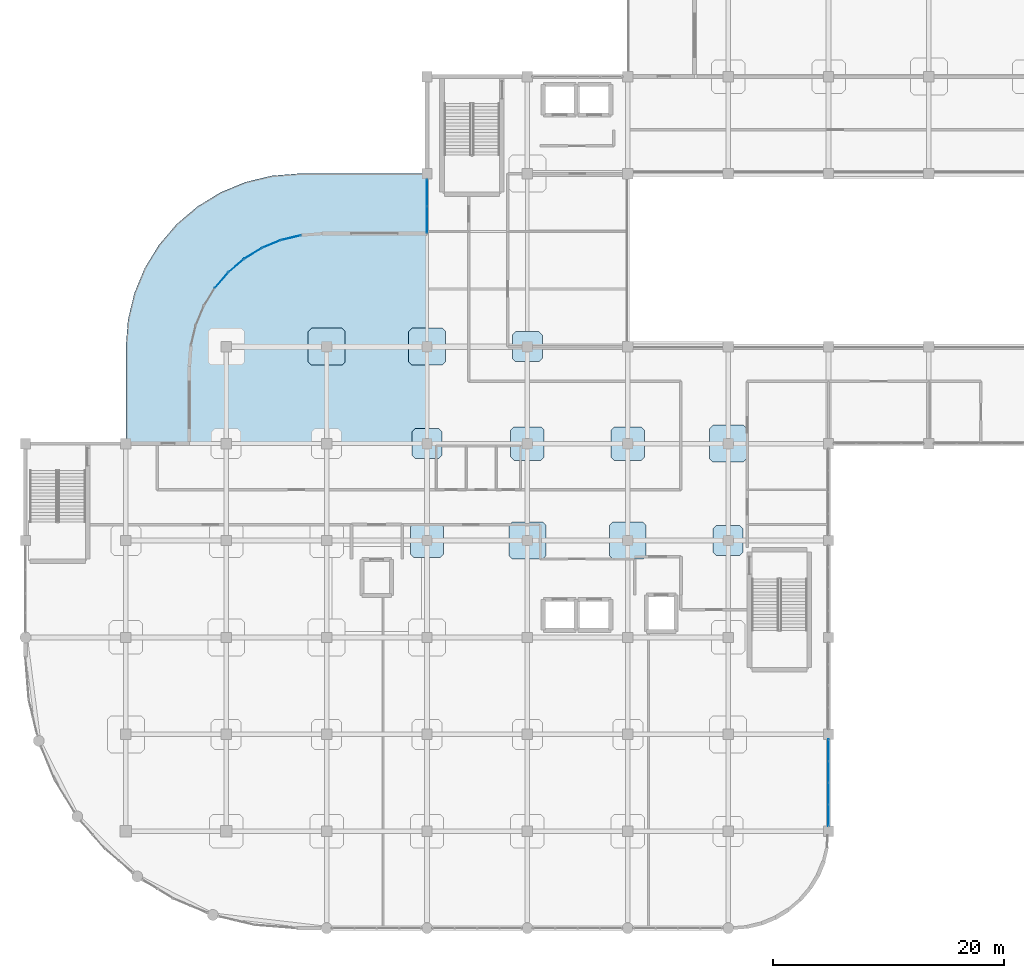
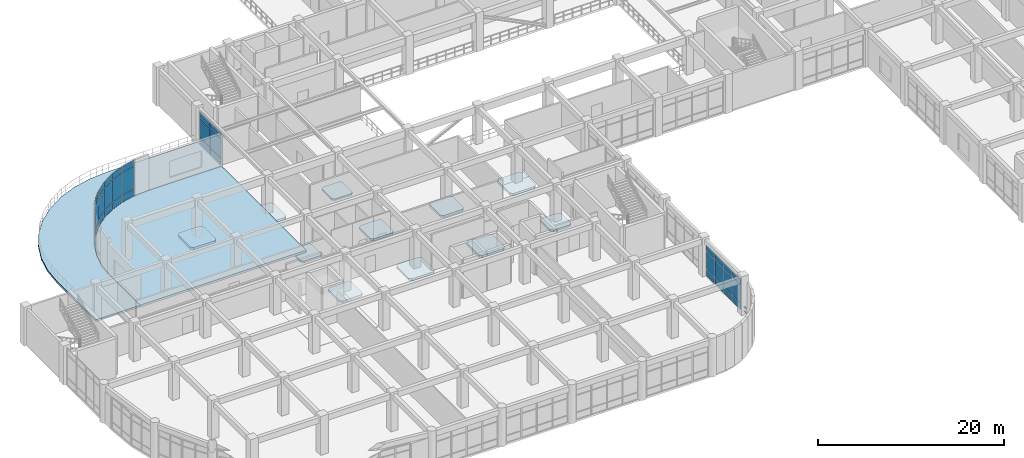
# One storey, part 88 of 120: 34 plates, 13 slabs, 7 elements without a shape of their own.
"""IFC4 building model written with IfcOpenShell, lengths in metres."""

from ifc_helpers import new_model, si_unit, derived_unit, direction, frame, origin, origin_2d, place, context, subcontext, project, spatial, polyline, rectangle, outline, extrude, material, layer, layer_set, type_object, element, aggregate, save


model = new_model("IFC4")

# Units and contexts
model_context = context("Model", 3, precision=1e-05, world=origin(), true_north=direction((0.0, 1.0)))
body_context = subcontext(model_context, "Body", "Model", "MODEL_VIEW")
ifc_project = project(units=[si_unit("LENGTHUNIT", "METRE"), si_unit("AREAUNIT", "SQUARE_METRE"), si_unit("VOLUMEUNIT", "CUBIC_METRE"), si_unit("PLANEANGLEUNIT", "RADIAN"), si_unit("MASSUNIT", "GRAM", prefix="KILO"), derived_unit("THERMALTRANSMITTANCEUNIT", [(si_unit("MASSUNIT", "GRAM", prefix="KILO"), 1), (si_unit("TIMEUNIT", "SECOND"), -3), (si_unit("THERMODYNAMICTEMPERATUREUNIT", "KELVIN"), -1)])], contexts=[model_context])

# Site, building, storey
site_placement = place(None, origin())
site = spatial("IfcSite", under=ifc_project, at=site_placement, CompositionType="ELEMENT")
building_placement = place(site_placement, origin())
building = spatial("IfcBuilding", under=site, at=building_placement, Name="Qinzheling Arcade Emporium", CompositionType="ELEMENT")
storey_placement = place(building_placement, frame((0.0, 0.0, 11.39990234375)))
storey = spatial("IfcBuildingStorey", under=building, at=storey_placement, Name="L03", CompositionType="ELEMENT", Elevation=11.39990234375)

# Slabs
ifc_material_1 = material(Name="Concrete C40", Category="concrete")
ifc_layer_1 = layer(ifc_material_1, 0.235107421875, Name="Concrete C40", Category="concrete")
ifc_layer_set_1 = layer_set([ifc_layer_1], Name="Concrete C40")
slab_type_1 = type_object("IfcSlabType", Name="Column Head Drop Panel 2600x2600x235 C40", PredefinedType="USERDEFINED", material=ifc_layer_set_1)
slab_1_placement = place(storey_placement, frame((0.0, 0.0, -0.514892578125)))
element("IfcSlab", 1, at=slab_1_placement, inside=storey, type_object=slab_type_1, Name="Column Drop Panel DP-L03-5-F", ObjectType="DROP_PANEL", PredefinedType="USERDEFINED", context=body_context, shape_type="SweptSolid", body=[
    extrude(outline(polyline([(33.780029296875, 40.699951171875), (35.820068359375, 40.699951171875), (36.10009765625, 40.97998046875), (36.10009765625, 43.02001953125), (35.820068359375, 43.300048828125), (33.780029296875, 43.300048828125), (33.5, 43.02001953125), (33.5, 40.97998046875), (33.780029296875, 40.699951171875)])), origin(), (0.0, 0.0, 1.0), 0.235107421875),
])
slab_2_placement = place(storey_placement, frame((0.0, 0.0, -0.514892578125)))
element("IfcSlab", 2, at=slab_2_placement, inside=storey, type_object=slab_type_1, Name="Column Drop Panel DP-L03-6-G", ObjectType="DROP_PANEL", PredefinedType="USERDEFINED", context=body_context, shape_type="SweptSolid", body=[
    extrude(outline(polyline([(42.47998046875, 49.10009765625), (44.52001953125, 49.10009765625), (44.800048828125, 49.3798828125), (44.800048828125, 51.419921875), (44.52001953125, 51.699951171875), (42.47998046875, 51.699951171875), (42.199951171875, 51.419921875), (42.199951171875, 49.3798828125), (42.47998046875, 49.10009765625)])), origin(), (0.0, 0.0, 1.0), 0.235107421875),
])
slab_3_placement = place(storey_placement, frame((0.0, 0.0, -0.514892578125)))
element("IfcSlab", 3, at=slab_3_placement, inside=storey, type_object=slab_type_1, Name="Column Drop Panel DP-L03-8-E", ObjectType="DROP_PANEL", PredefinedType="USERDEFINED", context=body_context, shape_type="SweptSolid", body=[
    extrude(outline(polyline([(59.8798828125, 32.300048828125), (61.919921875, 32.300048828125), (62.199951171875, 32.580078125), (62.199951171875, 34.6201171875), (61.919921875, 34.89990234375), (59.8798828125, 34.89990234375), (59.60009765625, 34.6201171875), (59.60009765625, 32.580078125), (59.8798828125, 32.300048828125)])), origin(), (0.0, 0.0, 1.0), 0.235107421875),
])
ifc_layer_2 = layer(ifc_material_1, 0.27001953125, Name="Concrete C40", Category="concrete")
ifc_layer_set_2 = layer_set([ifc_layer_2], Name="Concrete C40")
slab_type_2 = type_object("IfcSlabType", Name="Column Head Drop Panel 2900x2900x270 C40", PredefinedType="USERDEFINED", material=ifc_layer_set_2)
slab_4_placement = place(storey_placement, frame((0.0, 0.0, -0.5498046875)))
element("IfcSlab", 4, at=slab_4_placement, inside=storey, type_object=slab_type_2, Name="Column Drop Panel DP-L03-5-E", ObjectType="DROP_PANEL", PredefinedType="USERDEFINED", context=body_context, shape_type="SweptSolid", body=[
    extrude(outline(polyline([(33.6298828125, 32.14990234375), (35.969970703125, 32.14990234375), (36.25, 32.429931640625), (36.25, 34.77001953125), (35.969970703125, 35.050048828125), (33.6298828125, 35.050048828125), (33.35009765625, 34.77001953125), (33.35009765625, 32.429931640625), (33.6298828125, 32.14990234375)])), origin(), (0.0, 0.0, 1.0), 0.27001953125),
])
slab_5_placement = place(storey_placement, frame((0.0, 0.0, -0.5498046875)))
element("IfcSlab", 5, at=slab_5_placement, inside=storey, type_object=slab_type_2, Name="Column Drop Panel DP-L03-6-F", ObjectType="DROP_PANEL", PredefinedType="USERDEFINED", context=body_context, shape_type="SweptSolid", body=[
    extrude(outline(polyline([(42.330078125, 40.550048828125), (44.669921875, 40.550048828125), (44.949951171875, 40.830078125), (44.949951171875, 43.169921875), (44.669921875, 43.449951171875), (42.330078125, 43.449951171875), (42.050048828125, 43.169921875), (42.050048828125, 40.830078125), (42.330078125, 40.550048828125)])), origin(), (0.0, 0.0, 1.0), 0.27001953125),
])
slab_6_placement = place(storey_placement, frame((0.0, 0.0, -0.5498046875)))
element("IfcSlab", 6, at=slab_6_placement, inside=storey, type_object=slab_type_2, Name="Column Drop Panel DP-L03-7-F", ObjectType="DROP_PANEL", PredefinedType="USERDEFINED", context=body_context, shape_type="SweptSolid", body=[
    extrude(outline(polyline([(51.030029296875, 40.550048828125), (53.3701171875, 40.550048828125), (53.64990234375, 40.830078125), (53.64990234375, 43.169921875), (53.3701171875, 43.449951171875), (51.030029296875, 43.449951171875), (50.75, 43.169921875), (50.75, 40.830078125), (51.030029296875, 40.550048828125)])), origin(), (0.0, 0.0, 1.0), 0.27001953125),
])
ifc_layer_3 = layer(ifc_material_1, 0.300048828125, Name="Concrete C40", Category="concrete")
ifc_layer_set_3 = layer_set([ifc_layer_3], Name="Concrete C40")
slab_type_3 = type_object("IfcSlabType", Name="Column Head Drop Panel 3200x3200x300 C40", PredefinedType="USERDEFINED", material=ifc_layer_set_3)
slab_7_placement = place(storey_placement, frame((0.0, 0.0, -0.579833984375)))
element("IfcSlab", 7, at=slab_7_placement, inside=storey, type_object=slab_type_3, Name="Column Drop Panel DP-L03-4-G", ObjectType="DROP_PANEL", PredefinedType="USERDEFINED", context=body_context, shape_type="SweptSolid", body=[
    extrude(outline(polyline([(24.780029296875, 48.800048828125), (27.419921875, 48.800048828125), (27.699951171875, 49.080078125), (27.699951171875, 51.719970703125), (27.419921875, 52.0), (24.780029296875, 52.0), (24.5, 51.719970703125), (24.5, 49.080078125), (24.780029296875, 48.800048828125)])), origin(), (0.0, 0.0, 1.0), 0.300048828125),
])
slab_8_placement = place(storey_placement, frame((0.0, 0.0, -0.579833984375)))
element("IfcSlab", 8, at=slab_8_placement, inside=storey, type_object=slab_type_3, Name="Column Drop Panel DP-L03-5-G", ObjectType="DROP_PANEL", PredefinedType="USERDEFINED", context=body_context, shape_type="SweptSolid", body=[
    extrude(outline(polyline([(33.47998046875, 48.800048828125), (36.1201171875, 48.800048828125), (36.39990234375, 49.080078125), (36.39990234375, 51.719970703125), (36.1201171875, 52.0), (33.47998046875, 52.0), (33.199951171875, 51.719970703125), (33.199951171875, 49.080078125), (33.47998046875, 48.800048828125)])), origin(), (0.0, 0.0, 1.0), 0.300048828125),
])
slab_9_placement = place(storey_placement, frame((0.0, 0.0, -0.579833984375)))
element("IfcSlab", 9, at=slab_9_placement, inside=storey, type_object=slab_type_3, Name="Column Drop Panel DP-L03-6-E", ObjectType="DROP_PANEL", PredefinedType="USERDEFINED", context=body_context, shape_type="SweptSolid", body=[
    extrude(outline(polyline([(42.179931640625, 32.0), (44.820068359375, 32.0), (45.10009765625, 32.280029296875), (45.10009765625, 34.919921875), (44.820068359375, 35.199951171875), (42.179931640625, 35.199951171875), (41.89990234375, 34.919921875), (41.89990234375, 32.280029296875), (42.179931640625, 32.0)])), origin(), (0.0, 0.0, 1.0), 0.300048828125),
])
slab_10_placement = place(storey_placement, frame((0.0, 0.0, -0.579833984375)))
element("IfcSlab", 10, at=slab_10_placement, inside=storey, type_object=slab_type_3, Name="Column Drop Panel DP-L03-7-E", ObjectType="DROP_PANEL", PredefinedType="USERDEFINED", context=body_context, shape_type="SweptSolid", body=[
    extrude(outline(polyline([(50.8798828125, 32.0), (53.52001953125, 32.0), (53.800048828125, 32.280029296875), (53.800048828125, 34.919921875), (53.52001953125, 35.199951171875), (50.8798828125, 35.199951171875), (50.60009765625, 34.919921875), (50.60009765625, 32.280029296875), (50.8798828125, 32.0)])), origin(), (0.0, 0.0, 1.0), 0.300048828125),
])
slab_11_placement = place(storey_placement, frame((0.0, 0.0, -0.579833984375)))
element("IfcSlab", 11, at=slab_11_placement, inside=storey, type_object=slab_type_3, Name="Column Drop Panel DP-L03-8-F", ObjectType="DROP_PANEL", PredefinedType="USERDEFINED", context=body_context, shape_type="SweptSolid", body=[
    extrude(outline(polyline([(59.580078125, 40.39990234375), (62.219970703125, 40.39990234375), (62.5, 40.679931640625), (62.5, 43.320068359375), (62.219970703125, 43.60009765625), (59.580078125, 43.60009765625), (59.300048828125, 43.320068359375), (59.300048828125, 40.679931640625), (59.580078125, 40.39990234375)])), origin(), (0.0, 0.0, 1.0), 0.300048828125),
])

# Curtain wall, plates
ifc_material_2 = material(Name="Anodised aluminium and solar-control double glazing", Category="aluminium")
ifc_layer_4 = layer(ifc_material_2, 0.159912109375, Name="Anodised aluminium and solar-control double glazing", Category="aluminium")
ifc_layer_set_4 = layer_set([ifc_layer_4], Name="Anodised aluminium and solar-control double glazing")
curtain_wall_type_1 = type_object("IfcCurtainWallType", Name="Arcade Portal Glazed Curtain Wall", PredefinedType="NOTDEFINED", material=ifc_layer_set_4)
curtain_wall_1_placement = place(storey_placement, origin())
curtain_wall_1 = element("IfcCurtainWall", 12, at=curtain_wall_1_placement, inside=storey, type_object=curtain_wall_type_1, Name="Curtain Wall CW-L03-148", PredefinedType="NOTDEFINED")
ifc_material_3 = material(Name="Laminated solar-control double glazing", Category="glass")
ifc_layer_5 = layer(ifc_material_3, 0.028076171875, Name="Laminated solar-control double glazing", Category="glass")
ifc_layer_set_5 = layer_set([ifc_layer_5], Name="Laminated solar-control double glazing")
plate_type_1 = type_object("IfcPlateType", Name="Low-E Double Glazed Curtain Panel 28mm", PredefinedType="CURTAIN_PANEL", material=ifc_layer_set_5)
plate_1_placement = place(storey_placement, frame((69.60009765625, 15.39599609375, 0.06005859375), z_axis=(0.0, 0.0, 1.0), x_axis=(0.0, -1.0, 0.0)))
plate_1 = element("IfcPlate", 13, at=plate_1_placement, type_object=plate_type_1, Name="CW05 panel 1.1", PredefinedType="CURTAIN_PANEL", context=body_context, shape_type="SweptSolid", body=[
    extrude(rectangle(XDim=1.783935546875, YDim=0.028076171875, at=origin_2d()), origin(), (0.0, 0.0, 1.0), 0.860107421875),
])
plate_2_placement = place(storey_placement, frame((69.60009765625, 15.39599609375, 0.980224609375), z_axis=(0.0, 0.0, 1.0), x_axis=(0.0, -1.0, 0.0)))
plate_2 = element("IfcPlate", 14, at=plate_2_placement, type_object=plate_type_1, Name="CW05 panel 1.2", PredefinedType="CURTAIN_PANEL", context=body_context, shape_type="SweptSolid", body=[
    extrude(rectangle(XDim=1.783935546875, YDim=0.028076171875, at=origin_2d()), origin(), (0.0, 0.0, 1.0), 2.294921875),
])
plate_3_placement = place(storey_placement, frame((69.60009765625, 15.39599609375, 3.3349609375), z_axis=(0.0, 0.0, 1.0), x_axis=(0.0, -1.0, 0.0)))
plate_3 = element("IfcPlate", 15, at=plate_3_placement, type_object=plate_type_1, Name="CW05 panel 1.3", PredefinedType="CURTAIN_PANEL", context=body_context, shape_type="SweptSolid", body=[
    extrude(rectangle(XDim=1.783935546875, YDim=0.028076171875, at=origin_2d()), origin(), (0.0, 0.0, 1.0), 0.760009765625),
])
plate_4_placement = place(storey_placement, frame((69.60009765625, 13.537109375, 0.06005859375), z_axis=(0.0, 0.0, 1.0), x_axis=(0.0, -1.0, 0.0)))
plate_4 = element("IfcPlate", 16, at=plate_4_placement, type_object=plate_type_1, Name="CW05 panel 2.1", PredefinedType="CURTAIN_PANEL", context=body_context, shape_type="SweptSolid", body=[
    extrude(rectangle(XDim=1.81396484375, YDim=0.028076171875, at=origin_2d()), origin(), (0.0, 0.0, 1.0), 0.860107421875),
])
plate_5_placement = place(storey_placement, frame((69.60009765625, 13.537109375, 0.980224609375), z_axis=(0.0, 0.0, 1.0), x_axis=(0.0, -1.0, 0.0)))
plate_5 = element("IfcPlate", 17, at=plate_5_placement, type_object=plate_type_1, Name="CW05 panel 2.2", PredefinedType="CURTAIN_PANEL", context=body_context, shape_type="SweptSolid", body=[
    extrude(rectangle(XDim=1.81396484375, YDim=0.028076171875, at=origin_2d()), origin(), (0.0, 0.0, 1.0), 2.294921875),
])
plate_6_placement = place(storey_placement, frame((69.60009765625, 13.537109375, 3.3349609375), z_axis=(0.0, 0.0, 1.0), x_axis=(0.0, -1.0, 0.0)))
plate_6 = element("IfcPlate", 18, at=plate_6_placement, type_object=plate_type_1, Name="CW05 panel 2.3", PredefinedType="CURTAIN_PANEL", context=body_context, shape_type="SweptSolid", body=[
    extrude(rectangle(XDim=1.81396484375, YDim=0.028076171875, at=origin_2d()), origin(), (0.0, 0.0, 1.0), 0.760009765625),
])
plate_7_placement = place(storey_placement, frame((69.60009765625, 11.6630859375, 0.06005859375), z_axis=(0.0, 0.0, 1.0), x_axis=(0.0, -1.0, 0.0)))
plate_7 = element("IfcPlate", 19, at=plate_7_placement, type_object=plate_type_1, Name="CW05 panel 3.1", PredefinedType="CURTAIN_PANEL", context=body_context, shape_type="SweptSolid", body=[
    extrude(rectangle(XDim=1.81396484375, YDim=0.028076171875, at=origin_2d()), origin(), (0.0, 0.0, 1.0), 0.860107421875),
])
plate_8_placement = place(storey_placement, frame((69.60009765625, 11.6630859375, 0.980224609375), z_axis=(0.0, 0.0, 1.0), x_axis=(0.0, -1.0, 0.0)))
plate_8 = element("IfcPlate", 20, at=plate_8_placement, type_object=plate_type_1, Name="CW05 panel 3.2", PredefinedType="CURTAIN_PANEL", context=body_context, shape_type="SweptSolid", body=[
    extrude(rectangle(XDim=1.81396484375, YDim=0.028076171875, at=origin_2d()), origin(), (0.0, 0.0, 1.0), 2.294921875),
])
plate_9_placement = place(storey_placement, frame((69.60009765625, 11.6630859375, 3.3349609375), z_axis=(0.0, 0.0, 1.0), x_axis=(0.0, -1.0, 0.0)))
plate_9 = element("IfcPlate", 21, at=plate_9_placement, type_object=plate_type_1, Name="CW05 panel 3.3", PredefinedType="CURTAIN_PANEL", context=body_context, shape_type="SweptSolid", body=[
    extrude(rectangle(XDim=1.81396484375, YDim=0.028076171875, at=origin_2d()), origin(), (0.0, 0.0, 1.0), 0.760009765625),
])
plate_10_placement = place(storey_placement, frame((69.60009765625, 9.803955078125, 0.06005859375), z_axis=(0.0, 0.0, 1.0), x_axis=(0.0, -1.0, 0.0)))
plate_10 = element("IfcPlate", 22, at=plate_10_placement, type_object=plate_type_1, Name="CW05 panel 4.1", PredefinedType="CURTAIN_PANEL", context=body_context, shape_type="SweptSolid", body=[
    extrude(rectangle(XDim=1.783935546875, YDim=0.028076171875, at=origin_2d()), origin(), (0.0, 0.0, 1.0), 0.860107421875),
])
plate_11_placement = place(storey_placement, frame((69.60009765625, 9.803955078125, 0.980224609375), z_axis=(0.0, 0.0, 1.0), x_axis=(0.0, -1.0, 0.0)))
plate_11 = element("IfcPlate", 23, at=plate_11_placement, type_object=plate_type_1, Name="CW05 panel 4.2", PredefinedType="CURTAIN_PANEL", context=body_context, shape_type="SweptSolid", body=[
    extrude(rectangle(XDim=1.783935546875, YDim=0.028076171875, at=origin_2d()), origin(), (0.0, 0.0, 1.0), 2.294921875),
])
plate_12_placement = place(storey_placement, frame((69.60009765625, 9.803955078125, 3.3349609375), z_axis=(0.0, 0.0, 1.0), x_axis=(0.0, -1.0, 0.0)))
plate_12 = element("IfcPlate", 24, at=plate_12_placement, type_object=plate_type_1, Name="CW05 panel 4.3", PredefinedType="CURTAIN_PANEL", context=body_context, shape_type="SweptSolid", body=[
    extrude(rectangle(XDim=1.783935546875, YDim=0.028076171875, at=origin_2d()), origin(), (0.0, 0.0, 1.0), 0.760009765625),
])
aggregate(curtain_wall_1, [plate_1, plate_2, plate_3, plate_4, plate_5, plate_6, plate_7, plate_8, plate_9, plate_10, plate_11, plate_12])

ifc_layer_6 = layer(ifc_material_2, 0.159912109375, Name="Anodised aluminium and solar-control double glazing", Category="aluminium")
ifc_layer_set_6 = layer_set([ifc_layer_6], Name="Anodised aluminium and solar-control double glazing")
curtain_wall_type_2 = type_object("IfcCurtainWallType", Name="Curved Ribbon Sales Curtain Wall", PredefinedType="NOTDEFINED", material=ifc_layer_set_6)
curtain_wall_2_placement = place(storey_placement, origin())
curtain_wall_2 = element("IfcCurtainWall", 25, at=curtain_wall_2_placement, inside=storey, type_object=curtain_wall_type_2, Name="Curtain Wall CW-L03-168", PredefinedType="NOTDEFINED")
ifc_layer_7 = layer(ifc_material_3, 0.031982421875, Name="Laminated solar-control double glazing", Category="glass")
ifc_layer_set_7 = layer_set([ifc_layer_7], Name="Laminated solar-control double glazing")
plate_type_2 = type_object("IfcPlateType", Name="Low-E Double Glazed Curtain Panel 32mm", PredefinedType="CURTAIN_PANEL", material=ifc_layer_set_7)
plate_13_placement = place(storey_placement, frame((16.98193359375, 56.14599609375, 0.06005859375), z_axis=(0.0, 0.0, 1.0), x_axis=(0.649512551046, 0.760350870345, 0.0)))
plate_13 = element("IfcPlate", 26, at=plate_13_placement, type_object=plate_type_2, Name="CW02 panel 1.1", PredefinedType="CURTAIN_PANEL", context=body_context, shape_type="SweptSolid", body=[
    extrude(rectangle(XDim=1.684326171875, YDim=0.031982421875, at=origin_2d()), origin(), (0.0, 0.0, 1.0), 0.860107421875),
])
plate_14_placement = place(storey_placement, frame((16.98193359375, 56.14599609375, 0.97998046875), z_axis=(0.0, 0.0, 1.0), x_axis=(0.649512551046, 0.760350870345, 0.0)))
plate_14 = element("IfcPlate", 27, at=plate_14_placement, type_object=plate_type_2, Name="CW02 panel 1.2", PredefinedType="CURTAIN_PANEL", context=body_context, shape_type="SweptSolid", body=[
    extrude(rectangle(XDim=1.684326171875, YDim=0.031982421875, at=origin_2d()), origin(), (0.0, 0.0, 1.0), 2.929931640625),
])
plate_15_placement = place(storey_placement, frame((16.98193359375, 56.14599609375, 3.97021484375), z_axis=(0.0, 0.0, 1.0), x_axis=(0.649512551046, 0.760350870345, 0.0)))
plate_15 = element("IfcPlate", 28, at=plate_15_placement, type_object=plate_type_2, Name="CW02 panel 1.3", PredefinedType="CURTAIN_PANEL", context=body_context, shape_type="SweptSolid", body=[
    extrude(rectangle(XDim=1.684326171875, YDim=0.031982421875, at=origin_2d()), origin(), (0.0, 0.0, 1.0), 0.760009765625),
])
aggregate(curtain_wall_2, [plate_13, plate_14, plate_15])

curtain_wall_3_placement = place(storey_placement, origin())
curtain_wall_3 = element("IfcCurtainWall", 29, at=curtain_wall_3_placement, inside=storey, type_object=curtain_wall_type_2, Name="Curtain Wall CW-L03-169", PredefinedType="NOTDEFINED")
ifc_layer_8 = layer(ifc_material_3, 0.033935546875, Name="Laminated solar-control double glazing", Category="glass")
ifc_layer_set_8 = layer_set([ifc_layer_8], Name="Laminated solar-control double glazing")
plate_type_3 = type_object("IfcPlateType", Name="Low-E Double Glazed Curtain Panel 34mm", PredefinedType="CURTAIN_PANEL", material=ifc_layer_set_8)
plate_16_placement = place(storey_placement, frame((18.25390625, 57.41796875, 0.06005859375), z_axis=(0.0, 0.0, 1.0), x_axis=(0.760350870345, 0.649512551046, 0.0)))
plate_16 = element("IfcPlate", 30, at=plate_16_placement, type_object=plate_type_3, Name="CW02 panel 1.1", PredefinedType="CURTAIN_PANEL", context=body_context, shape_type="SweptSolid", body=[
    extrude(rectangle(XDim=1.684326171875, YDim=0.033935546875, at=origin_2d()), origin(), (0.0, 0.0, 1.0), 0.860107421875),
])
plate_17_placement = place(storey_placement, frame((18.25390625, 57.41796875, 0.97998046875), z_axis=(0.0, 0.0, 1.0), x_axis=(0.760350870345, 0.649512551046, 0.0)))
plate_17 = element("IfcPlate", 31, at=plate_17_placement, type_object=plate_type_3, Name="CW02 panel 1.2", PredefinedType="CURTAIN_PANEL", context=body_context, shape_type="SweptSolid", body=[
    extrude(rectangle(XDim=1.684326171875, YDim=0.033935546875, at=origin_2d()), origin(), (0.0, 0.0, 1.0), 2.929931640625),
])
plate_18_placement = place(storey_placement, frame((18.25390625, 57.41796875, 3.97021484375), z_axis=(0.0, 0.0, 1.0), x_axis=(0.760350870345, 0.649512551046, 0.0)))
plate_18 = element("IfcPlate", 32, at=plate_18_placement, type_object=plate_type_3, Name="CW02 panel 1.3", PredefinedType="CURTAIN_PANEL", context=body_context, shape_type="SweptSolid", body=[
    extrude(rectangle(XDim=1.684326171875, YDim=0.033935546875, at=origin_2d()), origin(), (0.0, 0.0, 1.0), 0.760009765625),
])
aggregate(curtain_wall_3, [plate_16, plate_17, plate_18])

curtain_wall_4_placement = place(storey_placement, origin())
curtain_wall_4 = element("IfcCurtainWall", 33, at=curtain_wall_4_placement, inside=storey, type_object=curtain_wall_type_2, Name="Curtain Wall CW-L03-170", PredefinedType="NOTDEFINED")
ifc_layer_9 = layer(ifc_material_3, 0.035888671875, Name="Laminated solar-control double glazing", Category="glass")
ifc_layer_set_9 = layer_set([ifc_layer_9], Name="Laminated solar-control double glazing")
plate_type_4 = type_object("IfcPlateType", Name="Low-E Double Glazed Curtain Panel 36mm", PredefinedType="CURTAIN_PANEL", material=ifc_layer_set_9)
plate_19_placement = place(storey_placement, frame((19.70947265625, 58.4755859375, 0.06005859375), z_axis=(0.0, 0.0, 1.0), x_axis=(0.852664947911, 0.522458119474, 0.0)))
plate_19 = element("IfcPlate", 34, at=plate_19_placement, type_object=plate_type_4, Name="CW02 panel 1.1", PredefinedType="CURTAIN_PANEL", context=body_context, shape_type="SweptSolid", body=[
    extrude(rectangle(XDim=1.684814453125, YDim=0.035888671875, at=origin_2d()), origin(), (0.0, 0.0, 1.0), 0.860107421875),
])
plate_20_placement = place(storey_placement, frame((19.70947265625, 58.4755859375, 0.97998046875), z_axis=(0.0, 0.0, 1.0), x_axis=(0.852664947911, 0.522458119474, 0.0)))
plate_20 = element("IfcPlate", 35, at=plate_20_placement, type_object=plate_type_4, Name="CW02 panel 1.2", PredefinedType="CURTAIN_PANEL", context=body_context, shape_type="SweptSolid", body=[
    extrude(rectangle(XDim=1.684814453125, YDim=0.035888671875, at=origin_2d()), origin(), (0.0, 0.0, 1.0), 2.929931640625),
])
plate_21_placement = place(storey_placement, frame((19.70947265625, 58.4755859375, 3.97021484375), z_axis=(0.0, 0.0, 1.0), x_axis=(0.852664947911, 0.522458119474, 0.0)))
plate_21 = element("IfcPlate", 36, at=plate_21_placement, type_object=plate_type_4, Name="CW02 panel 1.3", PredefinedType="CURTAIN_PANEL", context=body_context, shape_type="SweptSolid", body=[
    extrude(rectangle(XDim=1.684814453125, YDim=0.035888671875, at=origin_2d()), origin(), (0.0, 0.0, 1.0), 0.760009765625),
])
aggregate(curtain_wall_4, [plate_19, plate_20, plate_21])

curtain_wall_5_placement = place(storey_placement, origin())
curtain_wall_5 = element("IfcCurtainWall", 37, at=curtain_wall_5_placement, inside=storey, type_object=curtain_wall_type_2, Name="Curtain Wall CW-L03-171", PredefinedType="NOTDEFINED")
ifc_layer_10 = layer(ifc_material_3, 0.0380859375, Name="Laminated solar-control double glazing", Category="glass")
ifc_layer_set_10 = layer_set([ifc_layer_10], Name="Laminated solar-control double glazing")
plate_type_5 = type_object("IfcPlateType", Name="Low-E Double Glazed Curtain Panel 38mm", PredefinedType="CURTAIN_PANEL", material=ifc_layer_set_10)
plate_22_placement = place(storey_placement, frame((21.3125, 59.2919921875, 0.06005859375), z_axis=(0.0, 0.0, 1.0), x_axis=(0.92397631171, 0.382449703098, 0.0)))
plate_22 = element("IfcPlate", 38, at=plate_22_placement, type_object=plate_type_5, Name="CW02 panel 1.1", PredefinedType="CURTAIN_PANEL", context=body_context, shape_type="SweptSolid", body=[
    extrude(rectangle(XDim=1.68408203125, YDim=0.0380859375, at=origin_2d()), origin(), (0.0, 0.0, 1.0), 0.860107421875),
])
plate_23_placement = place(storey_placement, frame((21.3125, 59.2919921875, 0.97998046875), z_axis=(0.0, 0.0, 1.0), x_axis=(0.92397631171, 0.382449703098, 0.0)))
plate_23 = element("IfcPlate", 39, at=plate_23_placement, type_object=plate_type_5, Name="CW02 panel 1.2", PredefinedType="CURTAIN_PANEL", context=body_context, shape_type="SweptSolid", body=[
    extrude(rectangle(XDim=1.68408203125, YDim=0.0380859375, at=origin_2d()), origin(), (0.0, 0.0, 1.0), 2.929931640625),
])
plate_24_placement = place(storey_placement, frame((21.3125, 59.2919921875, 3.97021484375), z_axis=(0.0, 0.0, 1.0), x_axis=(0.92397631171, 0.382449703098, 0.0)))
plate_24 = element("IfcPlate", 40, at=plate_24_placement, type_object=plate_type_5, Name="CW02 panel 1.3", PredefinedType="CURTAIN_PANEL", context=body_context, shape_type="SweptSolid", body=[
    extrude(rectangle(XDim=1.68408203125, YDim=0.0380859375, at=origin_2d()), origin(), (0.0, 0.0, 1.0), 0.760009765625),
])
aggregate(curtain_wall_5, [plate_22, plate_23, plate_24])

curtain_wall_6_placement = place(storey_placement, origin())
curtain_wall_6 = element("IfcCurtainWall", 41, at=curtain_wall_6_placement, inside=storey, type_object=curtain_wall_type_2, Name="Curtain Wall CW-L03-172", PredefinedType="NOTDEFINED")
ifc_layer_11 = layer(ifc_material_3, 0.0400390625, Name="Laminated solar-control double glazing", Category="glass")
ifc_layer_set_11 = layer_set([ifc_layer_11], Name="Laminated solar-control double glazing")
plate_type_6 = type_object("IfcPlateType", Name="Low-E Double Glazed Curtain Panel 40mm", PredefinedType="CURTAIN_PANEL", material=ifc_layer_set_11)
plate_25_placement = place(storey_placement, frame((23.0234375, 59.847412109375, 0.06005859375), z_axis=(0.0, 0.0, 1.0), x_axis=(0.972412443739, 0.23326817027, 0.0)))
plate_25 = element("IfcPlate", 42, at=plate_25_placement, type_object=plate_type_6, Name="CW02 panel 1.1", PredefinedType="CURTAIN_PANEL", context=body_context, shape_type="SweptSolid", body=[
    extrude(rectangle(XDim=1.684814453125, YDim=0.0400390625, at=origin_2d()), origin(), (0.0, 0.0, 1.0), 0.860107421875),
])
plate_26_placement = place(storey_placement, frame((23.0234375, 59.847412109375, 0.97998046875), z_axis=(0.0, 0.0, 1.0), x_axis=(0.972412443739, 0.23326817027, 0.0)))
plate_26 = element("IfcPlate", 43, at=plate_26_placement, type_object=plate_type_6, Name="CW02 panel 1.2", PredefinedType="CURTAIN_PANEL", context=body_context, shape_type="SweptSolid", body=[
    extrude(rectangle(XDim=1.684814453125, YDim=0.0400390625, at=origin_2d()), origin(), (0.0, 0.0, 1.0), 2.929931640625),
])
plate_27_placement = place(storey_placement, frame((23.0234375, 59.847412109375, 3.97021484375), z_axis=(0.0, 0.0, 1.0), x_axis=(0.972412443739, 0.23326817027, 0.0)))
plate_27 = element("IfcPlate", 44, at=plate_27_placement, type_object=plate_type_6, Name="CW02 panel 1.3", PredefinedType="CURTAIN_PANEL", context=body_context, shape_type="SweptSolid", body=[
    extrude(rectangle(XDim=1.684814453125, YDim=0.0400390625, at=origin_2d()), origin(), (0.0, 0.0, 1.0), 0.760009765625),
])
aggregate(curtain_wall_6, [plate_25, plate_26, plate_27])

ifc_layer_12 = layer(ifc_material_2, 0.159912109375, Name="Anodised aluminium and solar-control double glazing", Category="aluminium")
ifc_layer_set_12 = layer_set([ifc_layer_12], Name="Anodised aluminium and solar-control double glazing")
curtain_wall_type_3 = type_object("IfcCurtainWallType", Name="Atrium Clerestory Curtain Wall", PredefinedType="NOTDEFINED", material=ifc_layer_set_12)
curtain_wall_7_placement = place(storey_placement, origin())
curtain_wall_7 = element("IfcCurtainWall", 45, at=curtain_wall_7_placement, inside=storey, type_object=curtain_wall_type_3, Name="Curtain Wall CW-L03-173", PredefinedType="NOTDEFINED")
ifc_layer_13 = layer(ifc_material_3, 0.0419921875, Name="Laminated solar-control double glazing", Category="glass")
ifc_layer_set_13 = layer_set([ifc_layer_13], Name="Laminated solar-control double glazing")
plate_type_7 = type_object("IfcPlateType", Name="Low-E Double Glazed Curtain Panel 42mm", PredefinedType="CURTAIN_PANEL", material=ifc_layer_set_13)
plate_28_placement = place(storey_placement, frame((34.800048828125, 61.402099609375, 0.06005859375), z_axis=(0.0, 0.0, 1.0), x_axis=(0.0, 1.0, 0.0)))
plate_28 = element("IfcPlate", 46, at=plate_28_placement, type_object=plate_type_7, Name="CW03 panel 1.1", PredefinedType="CURTAIN_PANEL", context=body_context, shape_type="SweptSolid", body=[
    extrude(rectangle(XDim=2.283935546875, YDim=0.0419921875, at=origin_2d()), origin(), (0.0, 0.0, 1.0), 0.860107421875),
])
plate_29_placement = place(storey_placement, frame((34.800048828125, 61.402099609375, 0.97998046875), z_axis=(0.0, 0.0, 1.0), x_axis=(0.0, 1.0, 0.0)))
plate_29 = element("IfcPlate", 47, at=plate_29_placement, type_object=plate_type_7, Name="CW03 panel 1.2", PredefinedType="CURTAIN_PANEL", context=body_context, shape_type="SweptSolid", body=[
    extrude(rectangle(XDim=2.283935546875, YDim=0.0419921875, at=origin_2d()), origin(), (0.0, 0.0, 1.0), 2.45703125),
])
plate_30_placement = place(storey_placement, frame((34.800048828125, 61.402099609375, 3.4970703125), z_axis=(0.0, 0.0, 1.0), x_axis=(0.0, 1.0, 0.0)))
plate_30 = element("IfcPlate", 48, at=plate_30_placement, type_object=plate_type_7, Name="CW03 panel 1.3", PredefinedType="CURTAIN_PANEL", context=body_context, shape_type="SweptSolid", body=[
    extrude(rectangle(XDim=2.283935546875, YDim=0.0419921875, at=origin_2d()), origin(), (0.0, 0.0, 1.0), 0.760009765625),
])
plate_31_placement = place(storey_placement, frame((34.800048828125, 63.74609375, 0.06005859375), z_axis=(0.0, 0.0, 1.0), x_axis=(0.0, 1.0, 0.0)))
plate_31 = element("IfcPlate", 49, at=plate_31_placement, type_object=plate_type_7, Name="CW03 panel 2.1", PredefinedType="CURTAIN_PANEL", context=body_context, shape_type="SweptSolid", body=[
    extrude(rectangle(XDim=2.283935546875, YDim=0.0419921875, at=origin_2d()), origin(), (0.0, 0.0, 1.0), 0.860107421875),
])
plate_32_placement = place(storey_placement, frame((34.800048828125, 63.74609375, 0.97998046875), z_axis=(0.0, 0.0, 1.0), x_axis=(0.0, 1.0, 0.0)))
plate_32 = element("IfcPlate", 50, at=plate_32_placement, type_object=plate_type_7, Name="CW03 panel 2.2", PredefinedType="CURTAIN_PANEL", context=body_context, shape_type="SweptSolid", body=[
    extrude(rectangle(XDim=2.283935546875, YDim=0.0419921875, at=origin_2d()), origin(), (0.0, 0.0, 1.0), 2.45703125),
])
plate_33_placement = place(storey_placement, frame((34.800048828125, 63.74609375, 3.4970703125), z_axis=(0.0, 0.0, 1.0), x_axis=(0.0, 1.0, 0.0)))
plate_33 = element("IfcPlate", 51, at=plate_33_placement, type_object=plate_type_7, Name="CW03 panel 2.3", PredefinedType="CURTAIN_PANEL", context=body_context, shape_type="SweptSolid", body=[
    extrude(rectangle(XDim=2.283935546875, YDim=0.0419921875, at=origin_2d()), origin(), (0.0, 0.0, 1.0), 0.760009765625),
])
aggregate(curtain_wall_7, [plate_28, plate_29, plate_30, plate_31, plate_32, plate_33])

# Slabs
ifc_layer_14 = layer(ifc_material_1, 0.25, Name="Concrete C40", Category="concrete")
ifc_layer_set_14 = layer_set([ifc_layer_14], Name="Concrete C40")
slab_type_4 = type_object("IfcSlabType", Name="Outdoor Dining Terrace Slab 250 C40", PredefinedType="FLOOR", material=ifc_layer_set_14)
slab_12_placement = place(storey_placement, frame((0.0, 0.0, -0.25)))
element("IfcSlab", 52, at=slab_12_placement, inside=storey, type_object=slab_type_4, Name="Outdoor Terrace SLB-TR-V1W-L03", PredefinedType="FLOOR", context=body_context, shape_type="SweptSolid", body=[
    extrude(outline(polyline([(8.699951171875, 42.0), (14.199951171875, 42.0), (14.199951171875, 48.699951171875), (14.342041015625, 50.4990234375), (14.762939453125, 52.25390625), (15.452880859375, 53.9208984375), (16.39599609375, 55.4599609375), (17.568115234375, 56.83203125), (18.93994140625, 58.00390625), (20.47900390625, 58.947021484375), (22.14599609375, 59.636962890625), (23.90087890625, 60.05810546875), (25.699951171875, 60.199951171875), (34.800048828125, 60.199951171875), (34.800048828125, 65.39990234375), (23.699951171875, 65.39990234375), (21.35302734375, 65.215087890625), (19.06494140625, 64.666015625), (16.889892578125, 63.764892578125), (14.883056640625, 62.534912109375), (13.093017578125, 61.007080078125), (11.56494140625, 59.217041015625), (10.3349609375, 57.2099609375), (9.43408203125, 55.034912109375), (8.885009765625, 52.7470703125), (8.699951171875, 50.39990234375), (8.699951171875, 42.0)])), origin(), (0.0, 0.0, 1.0), 0.25),
])
ifc_layer_15 = layer(ifc_material_1, 0.280029296875, Name="Concrete C40", Category="concrete")
ifc_layer_set_15 = layer_set([ifc_layer_15], Name="Concrete C40")
slab_type_5 = type_object("IfcSlabType", Name="Retail Two-Way Flat Slab 280 C40", PredefinedType="FLOOR", material=ifc_layer_set_15)
slab_13_placement = place(storey_placement, frame((0.0, 0.0, -0.27978515625)))
element("IfcSlab", 53, at=slab_13_placement, inside=storey, type_object=slab_type_5, Name="Floor Slab SLB-L03-V1W", PredefinedType="FLOOR", context=body_context, shape_type="SweptSolid", body=[
    extrude(outline(polyline([(14.199951171875, 48.699951171875), (14.199951171875, 42.0), (34.800048828125, 42.0), (34.800048828125, 60.199951171875), (25.699951171875, 60.199951171875), (23.90087890625, 60.05810546875), (22.14599609375, 59.636962890625), (20.47900390625, 58.947021484375), (18.93994140625, 58.00390625), (17.568115234375, 56.83203125), (16.39599609375, 55.4599609375), (15.452880859375, 53.9208984375), (14.762939453125, 52.25390625), (14.342041015625, 50.4990234375), (14.199951171875, 48.699951171875)])), origin(), (0.0, 0.0, 1.0), 0.27978515625),
])

# Plate
ifc_material_4 = material(Name="Perforated anodised aluminium sheet", Category="aluminium")
ifc_layer_16 = layer(ifc_material_4, 0.014892578125, Name="Perforated anodised aluminium sheet", Category="aluminium")
ifc_layer_set_16 = layer_set([ifc_layer_16], Name="Perforated anodised aluminium sheet")
plate_type_8 = type_object("IfcPlateType", Name="Typhoon Storm Louvre Blade 15mm", PredefinedType="SHEET", material=ifc_layer_set_16)
plate_34_placement = place(storey_placement, frame((69.60009765625, 12.60009765625, 3.580078125), z_axis=(0.0, 0.0, 1.0), x_axis=(0.0, -1.0, 0.0)))
element("IfcPlate", 54, at=plate_34_placement, inside=storey, type_object=plate_type_8, Name="Storm Louvre PLT-SLV-L03-033", PredefinedType="SHEET", context=body_context, shape_type="SweptSolid", body=[
    extrude(rectangle(XDim=7.52587890625, YDim=0.014892578125, at=origin_2d()), origin(), (0.0, 0.0, 1.0), 0.449951171875),
])

save(model, "model.ifc")
